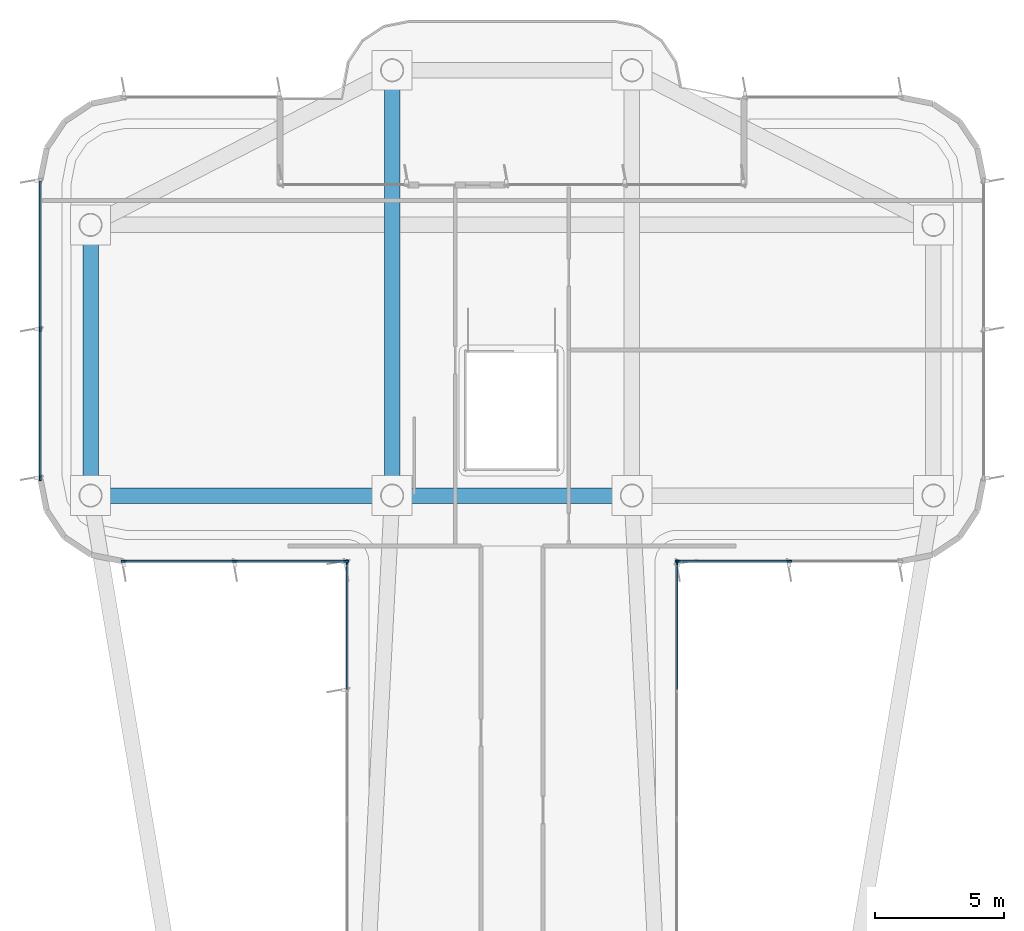
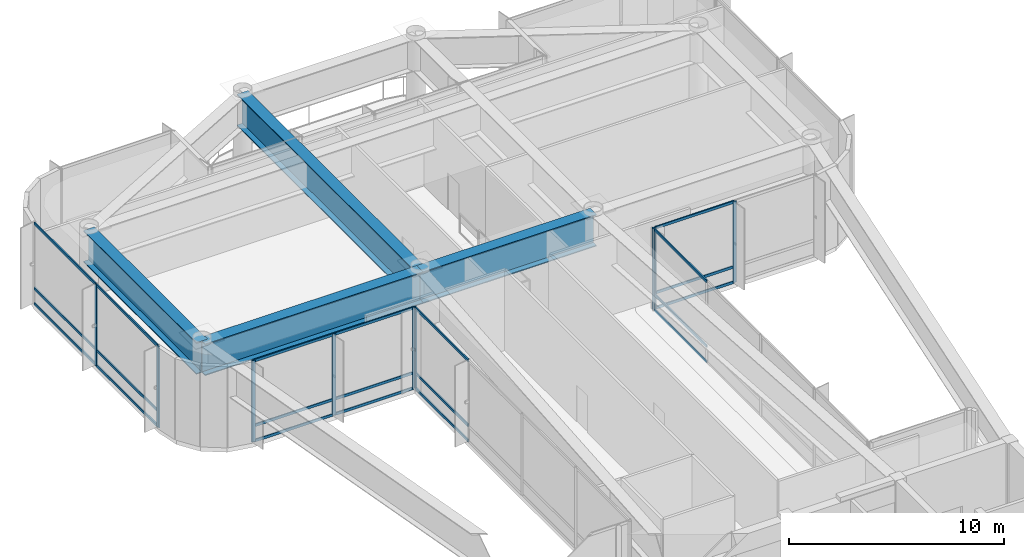
# One storey, part 5 of 13: 30 members, 4 beams, 5 elements without a shape of their own.
"""IFC4 building model written with IfcOpenShell, lengths in metres."""

from ifc_helpers import new_model, si_unit, direction, frame, origin, origin_2d, place, context, subcontext, project, spatial, rectangle, i_section, extrude, source, transform, mapped, material, layer, layer_set, material_profile, profile_set, type_object, element, aggregate, save


model = new_model("IFC4")

# Units and contexts
model_context = context("Model", 3, precision=1e-05, world=origin(), true_north=direction((0.0, 1.0)))
body_context = subcontext(model_context, "Body", "Model", "MODEL_VIEW")
ifc_project = project(units=[si_unit("LENGTHUNIT", "METRE"), si_unit("AREAUNIT", "SQUARE_METRE"), si_unit("VOLUMEUNIT", "CUBIC_METRE"), si_unit("PLANEANGLEUNIT", "RADIAN"), si_unit("MASSUNIT", "GRAM", prefix="KILO")], contexts=[model_context])

# Site, building, storey
site_placement = place(None, origin())
site = spatial("IfcSite", under=ifc_project, at=site_placement, CompositionType="ELEMENT")
building_placement = place(site_placement, origin())
building = spatial("IfcBuilding", under=site, at=building_placement, Name="Brelvock Crest Care Tower", CompositionType="ELEMENT")
storey_placement = place(building_placement, frame((0.0, 0.0, 291.06005859375)))
storey = spatial("IfcBuildingStorey", under=building, at=storey_placement, Name="L74", CompositionType="ELEMENT", Elevation=291.06005859375)

# Beams
ifc_material_1 = material(Name="Steel Grade 350", Category="steel")
ifc_material_profile_1 = material_profile(ifc_material_1, i_section(OverallWidth=0.60009765625, OverallDepth=1.800048828125, WebThickness=0.028076171875, FlangeThickness=0.052001953125, at=origin_2d()), Name="1800TG740")
ifc_profile_set_1 = profile_set([ifc_material_profile_1], Name="Steel Grade 350")
beam_type = type_object("IfcBeamType", Name="BM-TG1", PredefinedType="USERDEFINED", material=ifc_profile_set_1)
shared_shape_1 = source(origin(), body_context, "Body", "SweptSolid", [
    extrude(i_section(OverallWidth=0.60009765625, OverallDepth=1.800048828125, WebThickness=0.028076171875, FlangeThickness=0.052001953125, at=origin_2d()), origin(), (0.0, 0.0, 1.0), 10.5),
])
beam_1_placement = place(storey_placement, frame((19.64990234375, 43.949951171875, 3.7099609375), z_axis=(0.0, 1.0, 0.0), x_axis=(-1.0, 0.0, 0.0)))
element("IfcBeam", 1, at=beam_1_placement, inside=storey, type_object=beam_type, Name="BM-TWR-L74-01", ObjectType="GIRDER", PredefinedType="USERDEFINED", context=body_context, shape_type="MappedRepresentation", body=[
    mapped(shared_shape_1, transform((0.0, 0.0, 0.0), x_axis=(1.0, 0.0, 0.0), y_axis=(0.0, 1.0, 0.0), z_axis=(0.0, 0.0, 1.0), scale=1.0)),
])
shared_shape_2 = source(origin(), body_context, "Body", "SweptSolid", [
    extrude(i_section(OverallWidth=0.60009765625, OverallDepth=1.800048828125, WebThickness=0.028076171875, FlangeThickness=0.052001953125, at=origin_2d()), origin(), (0.0, 0.0, 1.0), 9.2998046875),
])
beam_2_placement = place(storey_placement, frame((31.35009765625, 43.949951171875, 3.7099609375), z_axis=(1.0, 0.0, 0.0), x_axis=(0.0, 1.0, 0.0)))
element("IfcBeam", 2, at=beam_2_placement, inside=storey, type_object=beam_type, Name="BM-TWR-L74-05", ObjectType="GIRDER", PredefinedType="USERDEFINED", context=body_context, shape_type="MappedRepresentation", body=[
    mapped(shared_shape_2, transform((0.0, 0.0, 0.0), x_axis=(1.0, 0.0, 0.0), y_axis=(0.0, 1.0, 0.0), z_axis=(0.0, 0.0, 1.0), scale=1.0)),
])
shared_shape_3 = source(origin(), body_context, "Body", "SweptSolid", [
    extrude(i_section(OverallWidth=0.60009765625, OverallDepth=1.800048828125, WebThickness=0.028076171875, FlangeThickness=0.052001953125, at=origin_2d()), origin(), (0.0, 0.0, 1.0), 11.7001953125),
])
beam_3_placement = place(storey_placement, frame((19.64990234375, 43.949951171875, 3.7099609375), z_axis=(1.0, 0.0, 0.0), x_axis=(0.0, 1.0, 0.0)))
element("IfcBeam", 3, at=beam_3_placement, inside=storey, type_object=beam_type, Name="BM-TWR-L74-03", ObjectType="GIRDER", PredefinedType="USERDEFINED", context=body_context, shape_type="MappedRepresentation", body=[
    mapped(shared_shape_3, transform((0.0, 0.0, 0.0), x_axis=(1.0, 0.0, 0.0), y_axis=(0.0, 1.0, 0.0), z_axis=(0.0, 0.0, 1.0), scale=1.0)),
])
shared_shape_4 = source(origin(), body_context, "Body", "SweptSolid", [
    extrude(i_section(OverallWidth=0.60009765625, OverallDepth=1.800048828125, WebThickness=0.028076171875, FlangeThickness=0.052001953125, at=origin_2d()), origin(), (0.0, 0.0, 1.0), 16.5),
])
beam_4_placement = place(storey_placement, frame((31.35009765625, 43.949951171875, 3.7099609375), z_axis=(0.0, 1.0, 0.0), x_axis=(-1.0, 0.0, 0.0)))
element("IfcBeam", 4, at=beam_4_placement, inside=storey, type_object=beam_type, Name="BM-TWR-L74-09", ObjectType="GIRDER", PredefinedType="USERDEFINED", context=body_context, shape_type="MappedRepresentation", body=[
    mapped(shared_shape_4, transform((0.0, 0.0, 0.0), x_axis=(1.0, 0.0, 0.0), y_axis=(0.0, 1.0, 0.0), z_axis=(0.0, 0.0, 1.0), scale=1.0)),
])

# Curtain wall, members
ifc_material_2 = material(Name="Dark Glass Double Glazed Low-E", Category="glass")
ifc_layer = layer(ifc_material_2, 0.2548828125, Name="CWS-6")
ifc_layer_set = layer_set([ifc_layer], Name="Dark Glass Double Glazed Low-E")
curtain_wall_type = type_object("IfcCurtainWallType", Name="CWS-6", PredefinedType="NOTDEFINED", material=ifc_layer_set)
curtain_wall_1_placement = place(storey_placement, origin())
curtain_wall_1 = element("IfcCurtainWall", 5, at=curtain_wall_1_placement, inside=storey, type_object=curtain_wall_type, Name="L74 Curtain Wall E10", PredefinedType="NOTDEFINED")
ifc_material_3 = material(Name="Aluminium 6063-T6", Category="aluminium")
ifc_material_profile_2 = material_profile(ifc_material_3, rectangle(XDim=0.06494140625, YDim=0.14990234375, at=origin_2d()), Name="ALU65x150")
ifc_profile_set_2 = profile_set([ifc_material_profile_2], Name="Aluminium 6063-T6")
member_type_1 = type_object("IfcMemberType", Name="CWT-1", PredefinedType="USERDEFINED", material=ifc_profile_set_2)
shared_shape_5 = source(origin(), body_context, "Body", "SweptSolid", [
    extrude(rectangle(XDim=0.06494140625, YDim=0.14990234375, at=origin_2d()), origin(), (0.0, 0.0, 1.0), 4.90234375),
])
member_1_placement = place(storey_placement, frame((42.39990234375, 41.3349609375, 0.032470703125), z_axis=(0.0, -1.0, 0.0), x_axis=(1.0, 0.0, 0.0)))
member_1 = element("IfcMember", 6, at=member_1_placement, type_object=member_type_1, Name="CW-6 transom 1.1", ObjectType="TRANSOM", PredefinedType="USERDEFINED", context=body_context, shape_type="MappedRepresentation", body=[
    mapped(shared_shape_5, transform((0.0, 0.0, 0.0), x_axis=(1.0, 0.0, 0.0), y_axis=(0.0, 1.0, 0.0), z_axis=(0.0, 0.0, 1.0), scale=1.0)),
])
member_2_placement = place(storey_placement, frame((42.39990234375, 41.3349609375, 0.89990234375), z_axis=(0.0, -1.0, 0.0), x_axis=(1.0, 0.0, 0.0)))
member_2 = element("IfcMember", 7, at=member_2_placement, type_object=member_type_1, Name="CW-6 transom 1.2", ObjectType="TRANSOM", PredefinedType="USERDEFINED", context=body_context, shape_type="MappedRepresentation", body=[
    mapped(shared_shape_5, transform((0.0, 0.0, 0.0), x_axis=(1.0, 0.0, 0.0), y_axis=(0.0, 1.0, 0.0), z_axis=(0.0, 0.0, 1.0), scale=1.0)),
])
member_3_placement = place(storey_placement, frame((42.39990234375, 41.3349609375, 4.577392578125), z_axis=(0.0, -1.0, 0.0), x_axis=(1.0, 0.0, 0.0)))
member_3 = element("IfcMember", 8, at=member_3_placement, type_object=member_type_1, Name="CW-6 transom 1.3", ObjectType="TRANSOM", PredefinedType="USERDEFINED", context=body_context, shape_type="MappedRepresentation", body=[
    mapped(shared_shape_5, transform((0.0, 0.0, 0.0), x_axis=(1.0, 0.0, 0.0), y_axis=(0.0, 1.0, 0.0), z_axis=(0.0, 0.0, 1.0), scale=1.0)),
])

curtain_wall_2_placement = place(storey_placement, origin())
curtain_wall_2 = element("IfcCurtainWall", 9, at=curtain_wall_2_placement, inside=storey, type_object=curtain_wall_type, Name="L74 Curtain Wall E24", PredefinedType="NOTDEFINED")
member_4_placement = place(storey_placement, frame((29.60009765625, 36.4326171875, 0.032470703125), z_axis=(0.0, 1.0, 0.0), x_axis=(-1.0, 0.0, 0.0)))
member_4 = element("IfcMember", 10, at=member_4_placement, type_object=member_type_1, Name="CW-6 transom 4.1", ObjectType="TRANSOM", PredefinedType="USERDEFINED", context=body_context, shape_type="MappedRepresentation", body=[
    mapped(shared_shape_5, transform((0.0, 0.0, 0.0), x_axis=(1.0, 0.0, 0.0), y_axis=(0.0, 1.0, 0.0), z_axis=(0.0, 0.0, 1.0), scale=1.0)),
])
member_5_placement = place(storey_placement, frame((29.60009765625, 36.4326171875, 0.89990234375), z_axis=(0.0, 1.0, 0.0), x_axis=(-1.0, 0.0, 0.0)))
member_5 = element("IfcMember", 11, at=member_5_placement, type_object=member_type_1, Name="CW-6 transom 4.2", ObjectType="TRANSOM", PredefinedType="USERDEFINED", context=body_context, shape_type="MappedRepresentation", body=[
    mapped(shared_shape_5, transform((0.0, 0.0, 0.0), x_axis=(1.0, 0.0, 0.0), y_axis=(0.0, 1.0, 0.0), z_axis=(0.0, 0.0, 1.0), scale=1.0)),
])
member_6_placement = place(storey_placement, frame((29.60009765625, 36.4326171875, 4.577392578125), z_axis=(0.0, 1.0, 0.0), x_axis=(-1.0, 0.0, 0.0)))
member_6 = element("IfcMember", 12, at=member_6_placement, type_object=member_type_1, Name="CW-6 transom 4.3", ObjectType="TRANSOM", PredefinedType="USERDEFINED", context=body_context, shape_type="MappedRepresentation", body=[
    mapped(shared_shape_5, transform((0.0, 0.0, 0.0), x_axis=(1.0, 0.0, 0.0), y_axis=(0.0, 1.0, 0.0), z_axis=(0.0, 0.0, 1.0), scale=1.0)),
])

curtain_wall_3_placement = place(storey_placement, origin())
curtain_wall_3 = element("IfcCurtainWall", 13, at=curtain_wall_3_placement, inside=storey, type_object=curtain_wall_type, Name="L74 Curtain Wall E30", PredefinedType="NOTDEFINED")
shared_shape_6 = source(origin(), body_context, "Body", "SweptSolid", [
    extrude(rectangle(XDim=0.06494140625, YDim=0.14990234375, at=origin_2d()), origin(), (0.0, 0.0, 1.0), 5.702392578125),
])
member_7_placement = place(storey_placement, frame((17.699951171875, 44.6650390625, 0.032470703125), z_axis=(0.0, 1.0, 0.0), x_axis=(-1.0, 0.0, 0.0)))
member_7 = element("IfcMember", 14, at=member_7_placement, type_object=member_type_1, Name="CW-6 transom 1.1", ObjectType="TRANSOM", PredefinedType="USERDEFINED", context=body_context, shape_type="MappedRepresentation", body=[
    mapped(shared_shape_6, transform((0.0, 0.0, 0.0), x_axis=(1.0, 0.0, 0.0), y_axis=(0.0, 1.0, 0.0), z_axis=(0.0, 0.0, 1.0), scale=1.0)),
])
member_8_placement = place(storey_placement, frame((17.699951171875, 44.6650390625, 0.89990234375), z_axis=(0.0, 1.0, 0.0), x_axis=(-1.0, 0.0, 0.0)))
member_8 = element("IfcMember", 15, at=member_8_placement, type_object=member_type_1, Name="CW-6 transom 1.2", ObjectType="TRANSOM", PredefinedType="USERDEFINED", context=body_context, shape_type="MappedRepresentation", body=[
    mapped(shared_shape_6, transform((0.0, 0.0, 0.0), x_axis=(1.0, 0.0, 0.0), y_axis=(0.0, 1.0, 0.0), z_axis=(0.0, 0.0, 1.0), scale=1.0)),
])
member_9_placement = place(storey_placement, frame((17.699951171875, 44.6650390625, 4.577392578125), z_axis=(0.0, 1.0, 0.0), x_axis=(-1.0, 0.0, 0.0)))
member_9 = element("IfcMember", 16, at=member_9_placement, type_object=member_type_1, Name="CW-6 transom 1.3", ObjectType="TRANSOM", PredefinedType="USERDEFINED", context=body_context, shape_type="MappedRepresentation", body=[
    mapped(shared_shape_6, transform((0.0, 0.0, 0.0), x_axis=(1.0, 0.0, 0.0), y_axis=(0.0, 1.0, 0.0), z_axis=(0.0, 0.0, 1.0), scale=1.0)),
])
member_10_placement = place(storey_placement, frame((17.699951171875, 50.4326171875, 0.032470703125), z_axis=(0.0, 1.0, 0.0), x_axis=(-1.0, 0.0, 0.0)))
member_10 = element("IfcMember", 17, at=member_10_placement, type_object=member_type_1, Name="CW-6 transom 2.1", ObjectType="TRANSOM", PredefinedType="USERDEFINED", context=body_context, shape_type="MappedRepresentation", body=[
    mapped(shared_shape_6, transform((0.0, 0.0, 0.0), x_axis=(1.0, 0.0, 0.0), y_axis=(0.0, 1.0, 0.0), z_axis=(0.0, 0.0, 1.0), scale=1.0)),
])
member_11_placement = place(storey_placement, frame((17.699951171875, 50.4326171875, 0.89990234375), z_axis=(0.0, 1.0, 0.0), x_axis=(-1.0, 0.0, 0.0)))
member_11 = element("IfcMember", 18, at=member_11_placement, type_object=member_type_1, Name="CW-6 transom 2.2", ObjectType="TRANSOM", PredefinedType="USERDEFINED", context=body_context, shape_type="MappedRepresentation", body=[
    mapped(shared_shape_6, transform((0.0, 0.0, 0.0), x_axis=(1.0, 0.0, 0.0), y_axis=(0.0, 1.0, 0.0), z_axis=(0.0, 0.0, 1.0), scale=1.0)),
])
member_12_placement = place(storey_placement, frame((17.699951171875, 50.4326171875, 4.577392578125), z_axis=(0.0, 1.0, 0.0), x_axis=(-1.0, 0.0, 0.0)))
member_12 = element("IfcMember", 19, at=member_12_placement, type_object=member_type_1, Name="CW-6 transom 2.3", ObjectType="TRANSOM", PredefinedType="USERDEFINED", context=body_context, shape_type="MappedRepresentation", body=[
    mapped(shared_shape_6, transform((0.0, 0.0, 0.0), x_axis=(1.0, 0.0, 0.0), y_axis=(0.0, 1.0, 0.0), z_axis=(0.0, 0.0, 1.0), scale=1.0)),
])

curtain_wall_4_placement = place(storey_placement, origin())
curtain_wall_4 = element("IfcCurtainWall", 20, at=curtain_wall_4_placement, inside=storey, type_object=curtain_wall_type, Name="L74 Curtain Wall E09", PredefinedType="NOTDEFINED")
shared_shape_7 = source(origin(), body_context, "Body", "SweptSolid", [
    extrude(rectangle(XDim=0.06494140625, YDim=0.14990234375, at=origin_2d()), origin(), (0.0, 0.0, 1.0), 4.25244140625),
])
member_13_placement = place(storey_placement, frame((46.717529296875, 41.39990234375, 0.032470703125), z_axis=(-1.0, 0.0, 0.0), x_axis=(0.0, -1.0, 0.0)))
member_13 = element("IfcMember", 21, at=member_13_placement, type_object=member_type_1, Name="CW-6 transom 2.1", ObjectType="TRANSOM", PredefinedType="USERDEFINED", context=body_context, shape_type="MappedRepresentation", body=[
    mapped(shared_shape_7, transform((0.0, 0.0, 0.0), x_axis=(1.0, 0.0, 0.0), y_axis=(0.0, 1.0, 0.0), z_axis=(0.0, 0.0, 1.0), scale=1.0)),
])
member_14_placement = place(storey_placement, frame((46.717529296875, 41.39990234375, 0.89990234375), z_axis=(-1.0, 0.0, 0.0), x_axis=(0.0, -1.0, 0.0)))
member_14 = element("IfcMember", 22, at=member_14_placement, type_object=member_type_1, Name="CW-6 transom 2.2", ObjectType="TRANSOM", PredefinedType="USERDEFINED", context=body_context, shape_type="MappedRepresentation", body=[
    mapped(shared_shape_7, transform((0.0, 0.0, 0.0), x_axis=(1.0, 0.0, 0.0), y_axis=(0.0, 1.0, 0.0), z_axis=(0.0, 0.0, 1.0), scale=1.0)),
])
member_15_placement = place(storey_placement, frame((46.717529296875, 41.39990234375, 4.577392578125), z_axis=(-1.0, 0.0, 0.0), x_axis=(0.0, -1.0, 0.0)))
member_15 = element("IfcMember", 23, at=member_15_placement, type_object=member_type_1, Name="CW-6 transom 2.3", ObjectType="TRANSOM", PredefinedType="USERDEFINED", context=body_context, shape_type="MappedRepresentation", body=[
    mapped(shared_shape_7, transform((0.0, 0.0, 0.0), x_axis=(1.0, 0.0, 0.0), y_axis=(0.0, 1.0, 0.0), z_axis=(0.0, 0.0, 1.0), scale=1.0)),
])

curtain_wall_5_placement = place(storey_placement, origin())
curtain_wall_5 = element("IfcCurtainWall", 24, at=curtain_wall_5_placement, inside=storey, type_object=curtain_wall_type, Name="L74 Curtain Wall E25", PredefinedType="NOTDEFINED")
member_16_placement = place(storey_placement, frame((29.534912109375, 41.39990234375, 0.032470703125), z_axis=(-1.0, 0.0, 0.0), x_axis=(0.0, -1.0, 0.0)))
member_16 = element("IfcMember", 25, at=member_16_placement, type_object=member_type_1, Name="CW-6 transom 1.1", ObjectType="TRANSOM", PredefinedType="USERDEFINED", context=body_context, shape_type="MappedRepresentation", body=[
    mapped(shared_shape_7, transform((0.0, 0.0, 0.0), x_axis=(1.0, 0.0, 0.0), y_axis=(0.0, 1.0, 0.0), z_axis=(0.0, 0.0, 1.0), scale=1.0)),
])
member_17_placement = place(storey_placement, frame((29.534912109375, 41.39990234375, 0.89990234375), z_axis=(-1.0, 0.0, 0.0), x_axis=(0.0, -1.0, 0.0)))
member_17 = element("IfcMember", 26, at=member_17_placement, type_object=member_type_1, Name="CW-6 transom 1.2", ObjectType="TRANSOM", PredefinedType="USERDEFINED", context=body_context, shape_type="MappedRepresentation", body=[
    mapped(shared_shape_7, transform((0.0, 0.0, 0.0), x_axis=(1.0, 0.0, 0.0), y_axis=(0.0, 1.0, 0.0), z_axis=(0.0, 0.0, 1.0), scale=1.0)),
])
member_18_placement = place(storey_placement, frame((29.534912109375, 41.39990234375, 4.577392578125), z_axis=(-1.0, 0.0, 0.0), x_axis=(0.0, -1.0, 0.0)))
member_18 = element("IfcMember", 27, at=member_18_placement, type_object=member_type_1, Name="CW-6 transom 1.3", ObjectType="TRANSOM", PredefinedType="USERDEFINED", context=body_context, shape_type="MappedRepresentation", body=[
    mapped(shared_shape_7, transform((0.0, 0.0, 0.0), x_axis=(1.0, 0.0, 0.0), y_axis=(0.0, 1.0, 0.0), z_axis=(0.0, 0.0, 1.0), scale=1.0)),
])
member_19_placement = place(storey_placement, frame((25.217529296875, 41.39990234375, 0.032470703125), z_axis=(-1.0, 0.0, 0.0), x_axis=(0.0, -1.0, 0.0)))
member_19 = element("IfcMember", 28, at=member_19_placement, type_object=member_type_1, Name="CW-6 transom 2.1", ObjectType="TRANSOM", PredefinedType="USERDEFINED", context=body_context, shape_type="MappedRepresentation", body=[
    mapped(shared_shape_7, transform((0.0, 0.0, 0.0), x_axis=(1.0, 0.0, 0.0), y_axis=(0.0, 1.0, 0.0), z_axis=(0.0, 0.0, 1.0), scale=1.0)),
])
member_20_placement = place(storey_placement, frame((25.217529296875, 41.39990234375, 0.89990234375), z_axis=(-1.0, 0.0, 0.0), x_axis=(0.0, -1.0, 0.0)))
member_20 = element("IfcMember", 29, at=member_20_placement, type_object=member_type_1, Name="CW-6 transom 2.2", ObjectType="TRANSOM", PredefinedType="USERDEFINED", context=body_context, shape_type="MappedRepresentation", body=[
    mapped(shared_shape_7, transform((0.0, 0.0, 0.0), x_axis=(1.0, 0.0, 0.0), y_axis=(0.0, 1.0, 0.0), z_axis=(0.0, 0.0, 1.0), scale=1.0)),
])
member_21_placement = place(storey_placement, frame((25.217529296875, 41.39990234375, 4.577392578125), z_axis=(-1.0, 0.0, 0.0), x_axis=(0.0, -1.0, 0.0)))
member_21 = element("IfcMember", 30, at=member_21_placement, type_object=member_type_1, Name="CW-6 transom 2.3", ObjectType="TRANSOM", PredefinedType="USERDEFINED", context=body_context, shape_type="MappedRepresentation", body=[
    mapped(shared_shape_7, transform((0.0, 0.0, 0.0), x_axis=(1.0, 0.0, 0.0), y_axis=(0.0, 1.0, 0.0), z_axis=(0.0, 0.0, 1.0), scale=1.0)),
])

# Member
ifc_material_profile_3 = material_profile(ifc_material_3, rectangle(XDim=0.06494140625, YDim=0.199951171875, at=origin_2d()), Name="ALU65x200")
ifc_profile_set_3 = profile_set([ifc_material_profile_3], Name="Aluminium 6063-T6")
member_type_2 = type_object("IfcMemberType", Name="CWM-1", PredefinedType="MULLION", material=ifc_profile_set_3)
shared_shape_8 = source(origin(), body_context, "Body", "SweptSolid", [
    extrude(rectangle(XDim=0.06494140625, YDim=0.199951171875, at=origin_2d()), origin(), (0.0, 0.0, 1.0), 4.60986328125),
])
member_22_placement = place(storey_placement, frame((46.75, 41.39990234375, 0.0), z_axis=(0.0, 0.0, 1.0), x_axis=(0.0, -1.0, 0.0)))
member_22 = element("IfcMember", 31, at=member_22_placement, type_object=member_type_2, Name="CW-6 mullion 2", PredefinedType="MULLION", context=body_context, shape_type="MappedRepresentation", body=[
    mapped(shared_shape_8, transform((0.0, 0.0, 0.0), x_axis=(1.0, 0.0, 0.0), y_axis=(0.0, 1.0, 0.0), z_axis=(0.0, 0.0, 1.0), scale=1.0)),
])

member_23_placement = place(storey_placement, frame((42.4326171875, 41.39990234375, 0.0), z_axis=(0.0, 0.0, 1.0), x_axis=(0.0, -1.0, 0.0)))
member_23 = element("IfcMember", 32, at=member_23_placement, type_object=member_type_2, Name="CW-6 mullion 3", PredefinedType="MULLION", context=body_context, shape_type="MappedRepresentation", body=[
    mapped(shared_shape_8, transform((0.0, 0.0, 0.0), x_axis=(1.0, 0.0, 0.0), y_axis=(0.0, 1.0, 0.0), z_axis=(0.0, 0.0, 1.0), scale=1.0)),
])

aggregate(curtain_wall_4, [member_22, member_23, member_13, member_14, member_15])

member_24_placement = place(storey_placement, frame((42.39990234375, 41.367431640625, 0.0), z_axis=(0.0, 0.0, 1.0), x_axis=(1.0, 0.0, 0.0)))
member_24 = element("IfcMember", 33, at=member_24_placement, type_object=member_type_2, Name="CW-6 mullion 1", PredefinedType="MULLION", context=body_context, shape_type="MappedRepresentation", body=[
    mapped(shared_shape_8, transform((0.0, 0.0, 0.0), x_axis=(1.0, 0.0, 0.0), y_axis=(0.0, 1.0, 0.0), z_axis=(0.0, 0.0, 1.0), scale=1.0)),
])

aggregate(curtain_wall_1, [member_24, member_1, member_2, member_3])

member_25_placement = place(storey_placement, frame((29.60009765625, 41.367431640625, 0.0), z_axis=(0.0, 0.0, 1.0), x_axis=(-1.0, 0.0, 0.0)))
member_25 = element("IfcMember", 34, at=member_25_placement, type_object=member_type_2, Name="CW-6 mullion 5", PredefinedType="MULLION", context=body_context, shape_type="MappedRepresentation", body=[
    mapped(shared_shape_8, transform((0.0, 0.0, 0.0), x_axis=(1.0, 0.0, 0.0), y_axis=(0.0, 1.0, 0.0), z_axis=(0.0, 0.0, 1.0), scale=1.0)),
])

aggregate(curtain_wall_2, [member_25, member_4, member_5, member_6])

member_26_placement = place(storey_placement, frame((29.5673828125, 41.39990234375, 0.0), z_axis=(0.0, 0.0, 1.0), x_axis=(0.0, -1.0, 0.0)))
member_26 = element("IfcMember", 35, at=member_26_placement, type_object=member_type_2, Name="CW-6 mullion 1", PredefinedType="MULLION", context=body_context, shape_type="MappedRepresentation", body=[
    mapped(shared_shape_8, transform((0.0, 0.0, 0.0), x_axis=(1.0, 0.0, 0.0), y_axis=(0.0, 1.0, 0.0), z_axis=(0.0, 0.0, 1.0), scale=1.0)),
])

member_27_placement = place(storey_placement, frame((25.25, 41.39990234375, 0.0), z_axis=(0.0, 0.0, 1.0), x_axis=(0.0, -1.0, 0.0)))
member_27 = element("IfcMember", 36, at=member_27_placement, type_object=member_type_2, Name="CW-6 mullion 2", PredefinedType="MULLION", context=body_context, shape_type="MappedRepresentation", body=[
    mapped(shared_shape_8, transform((0.0, 0.0, 0.0), x_axis=(1.0, 0.0, 0.0), y_axis=(0.0, 1.0, 0.0), z_axis=(0.0, 0.0, 1.0), scale=1.0)),
])

member_28_placement = place(storey_placement, frame((20.9326171875, 41.39990234375, 0.0), z_axis=(0.0, 0.0, 1.0), x_axis=(0.0, -1.0, 0.0)))
member_28 = element("IfcMember", 37, at=member_28_placement, type_object=member_type_2, Name="CW-6 mullion 3", PredefinedType="MULLION", context=body_context, shape_type="MappedRepresentation", body=[
    mapped(shared_shape_8, transform((0.0, 0.0, 0.0), x_axis=(1.0, 0.0, 0.0), y_axis=(0.0, 1.0, 0.0), z_axis=(0.0, 0.0, 1.0), scale=1.0)),
])

aggregate(curtain_wall_5, [member_26, member_27, member_28, member_16, member_17, member_18, member_19, member_20, member_21])

member_29_placement = place(storey_placement, frame((17.699951171875, 44.632568359375, 0.0), z_axis=(0.0, 0.0, 1.0), x_axis=(-1.0, 0.0, 0.0)))
member_29 = element("IfcMember", 38, at=member_29_placement, type_object=member_type_2, Name="CW-6 mullion 1", PredefinedType="MULLION", context=body_context, shape_type="MappedRepresentation", body=[
    mapped(shared_shape_8, transform((0.0, 0.0, 0.0), x_axis=(1.0, 0.0, 0.0), y_axis=(0.0, 1.0, 0.0), z_axis=(0.0, 0.0, 1.0), scale=1.0)),
])

member_30_placement = place(storey_placement, frame((17.699951171875, 50.39990234375, 0.0), z_axis=(0.0, 0.0, 1.0), x_axis=(-1.0, 0.0, 0.0)))
member_30 = element("IfcMember", 39, at=member_30_placement, type_object=member_type_2, Name="CW-6 mullion 2", PredefinedType="MULLION", context=body_context, shape_type="MappedRepresentation", body=[
    mapped(shared_shape_8, transform((0.0, 0.0, 0.0), x_axis=(1.0, 0.0, 0.0), y_axis=(0.0, 1.0, 0.0), z_axis=(0.0, 0.0, 1.0), scale=1.0)),
])

aggregate(curtain_wall_3, [member_29, member_30, member_7, member_8, member_9, member_10, member_11, member_12])

save(model, "model.ifc")
